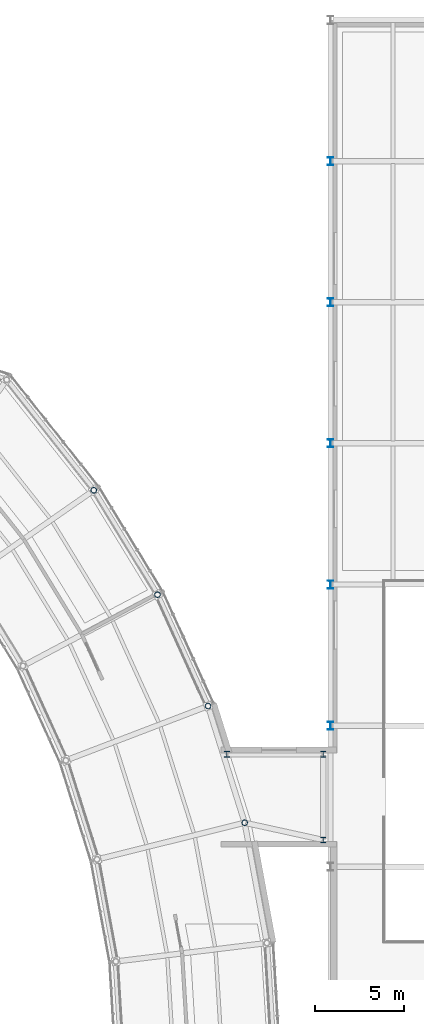
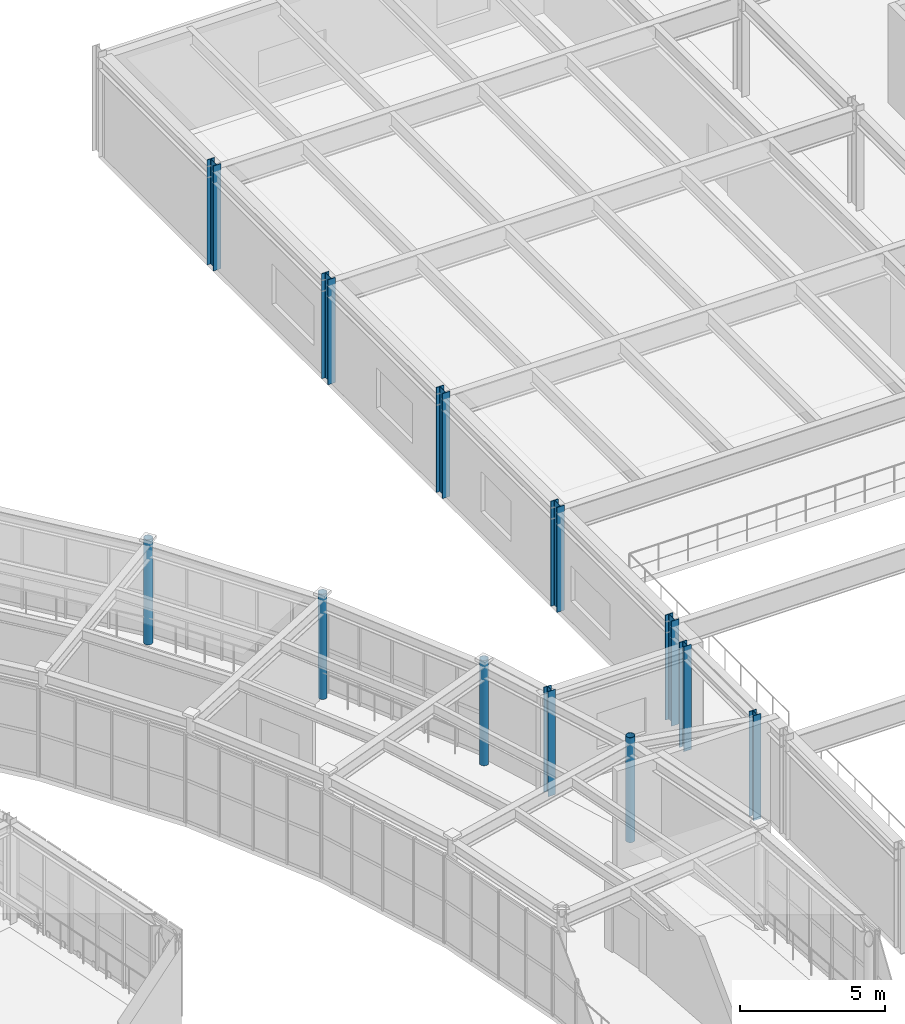
# One storey, part 13 of 103: 12 columns.
"""IFC4 building model written with IfcOpenShell, lengths in metres."""

from ifc_helpers import new_model, si_unit, direction, frame, origin, origin_2d, place, context, subcontext, project, spatial, hollow_circle, i_section, extrude, material, material_profile, profile_set, type_object, element, save


model = new_model("IFC4")

# Units and contexts
model_context = context("Model", 3, precision=1e-05, world=origin(), true_north=direction((0.0, 1.0)))
body_context = subcontext(model_context, "Body", "Model", "MODEL_VIEW")
ifc_project = project(units=[si_unit("LENGTHUNIT", "METRE"), si_unit("AREAUNIT", "SQUARE_METRE"), si_unit("VOLUMEUNIT", "CUBIC_METRE"), si_unit("PLANEANGLEUNIT", "RADIAN"), si_unit("MASSUNIT", "GRAM", prefix="KILO")], contexts=[model_context])

# Site, building, storey
site_placement = place(None, origin())
site = spatial("IfcSite", under=ifc_project, at=site_placement, CompositionType="ELEMENT")
building_placement = place(site_placement, origin())
building = spatial("IfcBuilding", under=site, at=building_placement, Name="Varnklinge Art Gallery", CompositionType="ELEMENT")
storey_placement = place(building_placement, frame((0.0, 0.0, 5.10009765625)))
storey = spatial("IfcBuildingStorey", under=building, at=storey_placement, Name="L01", CompositionType="ELEMENT", Elevation=5.10009765625)

# Columns
ifc_material_1 = material(Name="Steel S355", Category="steel")
ifc_material_profile_1 = material_profile(ifc_material_1, i_section(OverallWidth=0.300048828125, OverallDepth=0.320068359375, WebThickness=0.011474609375, FlangeThickness=0.0205078125, FilletRadius=0.027099609375, at=origin_2d()), Name="HEB 320")
ifc_profile_set_1 = profile_set([ifc_material_profile_1], Name="Steel S355")
column_type_1 = type_object("IfcColumnType", Name="COL-09", PredefinedType="COLUMN", material=ifc_profile_set_1)
for number, where, z_axis, x_axis, name in (
    (1, (114.0, 67.60009765625, 0.0), (0.0, 0.0, 1.0), (1.0, 0.0, 0.0), "L01 Column LNK-V1-C2"),
    (2, (114.0, 72.39990234375, 0.0), (0.0, 0.0, 1.0), (1.0, 0.0, 0.0), "L01 Column LNK-V1-C3"),
    (3, (108.60009765625, 72.39990234375, 0.0), (0.0, 0.0, 1.0), (1.0, 0.0, 0.0), "L01 Column LNK-V1-C4"),
):
    element("IfcColumn", number, at=place(storey_placement, frame(where, z_axis=z_axis, x_axis=x_axis)), inside=storey, type_object=column_type_1, Name=name, PredefinedType="COLUMN", context=body_context, shape_type="SweptSolid", body=[
        extrude(i_section(OverallWidth=0.300048828125, OverallDepth=0.320068359375, WebThickness=0.011474609375, FlangeThickness=0.0205078125, FilletRadius=0.027099609375, at=origin_2d()), origin(), (0.0, 0.0, 1.0), 4.419921875),
    ])
ifc_material_2 = material(Name="Steel S355", Category="steel")
ifc_material_profile_2 = material_profile(ifc_material_2, i_section(OverallWidth=0.300048828125, OverallDepth=0.449951171875, WebThickness=0.013916015625, FlangeThickness=0.02587890625, FilletRadius=0.027099609375, at=origin_2d()), Name="HEB 450")
ifc_profile_set_2 = profile_set([ifc_material_profile_2], Name="Steel S355")
column_type_2 = type_object("IfcColumnType", Name="COL-E2", PredefinedType="COLUMN", material=ifc_profile_set_2)
for number, where, z_axis, x_axis, name in (
    (4, (114.39990234375, 74.0, 0.0), (0.0, 0.0, 1.0), (1.0, 0.0, 0.0), "L01 Column V1C-1-3"),
    (5, (114.39990234375, 81.89990234375, 0.0), (0.0, 0.0, 1.0), (1.0, 0.0, 0.0), "L01 Column V1C-1-4"),
    (6, (114.39990234375, 89.800048828125, 0.0), (0.0, 0.0, 1.0), (1.0, 0.0, 0.0), "L01 Column V1C-1-5"),
    (7, (114.39990234375, 97.699951171875, 0.0), (0.0, 0.0, 1.0), (1.0, 0.0, 0.0), "L01 Column V1C-1-6"),
    (8, (114.39990234375, 105.60009765625, 0.0), (0.0, 0.0, 1.0), (1.0, 0.0, 0.0), "L01 Column V1C-1-7"),
):
    element("IfcColumn", number, at=place(storey_placement, frame(where, z_axis=z_axis, x_axis=x_axis)), inside=storey, type_object=column_type_2, Name=name, PredefinedType="COLUMN", context=body_context, shape_type="SweptSolid", body=[
        extrude(i_section(OverallWidth=0.300048828125, OverallDepth=0.449951171875, WebThickness=0.013916015625, FlangeThickness=0.02587890625, FilletRadius=0.027099609375, at=origin_2d()), origin(), (0.0, 0.0, 1.0), 4.419921875),
    ])
ifc_material_3 = material(Name="Steel S355", Category="steel")
ifc_material_profile_3 = material_profile(ifc_material_3, hollow_circle(Radius=0.161865234375, WallThickness=0.01611328125, at=origin_2d()), Name="CHS 323.9x16")
ifc_profile_set_3 = profile_set([ifc_material_profile_3], Name="Steel S355")
column_type_3 = type_object("IfcColumnType", Name="COL-E6", PredefinedType="COLUMN", material=ifc_profile_set_3)
for number, where, z_axis, x_axis, name in (
    (9, (109.598388671875, 68.56591796875, 0.0), (0.0, 0.0, 1.0), (-0.970506473469, -0.241075060833, 0.0), "L01 Column V2CO-09"),
    (10, (107.54638671875, 75.09716796875, 0.0), (0.0, 0.0, 1.0), (-0.934017558691, -0.357227098715, 0.0), "L01 Column V2CO-10"),
    (11, (104.71630859375, 81.3310546875, 0.0), (0.0, 0.0, 1.0), (-0.883683947469, -0.468084053333, 0.0), "L01 Column V2CO-11"),
    (12, (101.14990234375, 87.1748046875, 0.0), (0.0, 0.0, 1.0), (-0.820351542489, -0.571859551582, 0.0), "L01 Column V2CO-12"),
):
    element("IfcColumn", number, at=place(storey_placement, frame(where, z_axis=z_axis, x_axis=x_axis)), inside=storey, type_object=column_type_3, Name=name, PredefinedType="COLUMN", context=body_context, shape_type="SweptSolid", body=[
        extrude(hollow_circle(Radius=0.161865234375, WallThickness=0.01611328125, at=origin_2d()), origin(), (0.0, 0.0, 1.0), 4.419921875),
    ])

save(model, "model.ifc")
